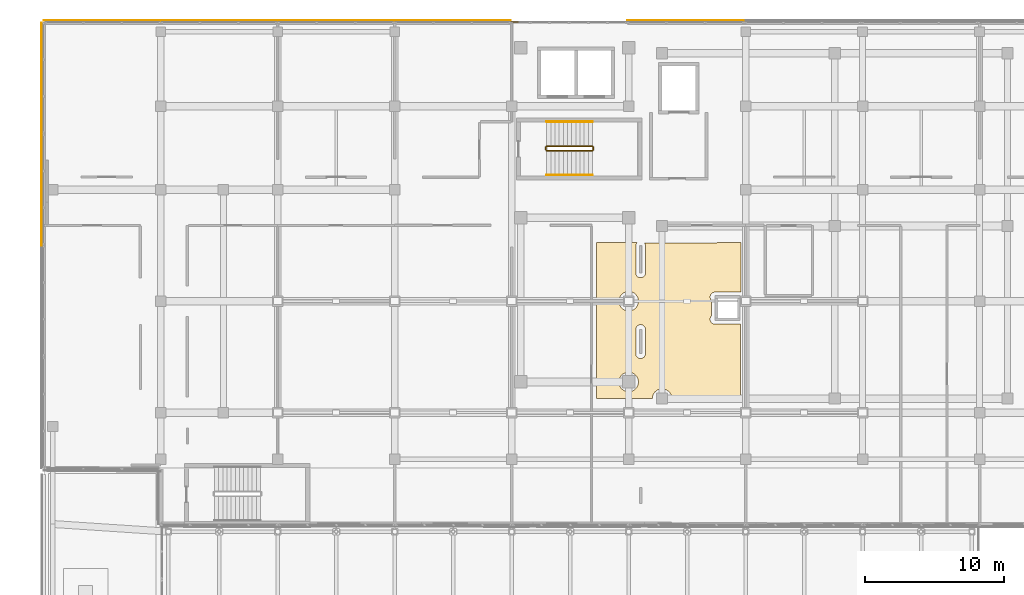
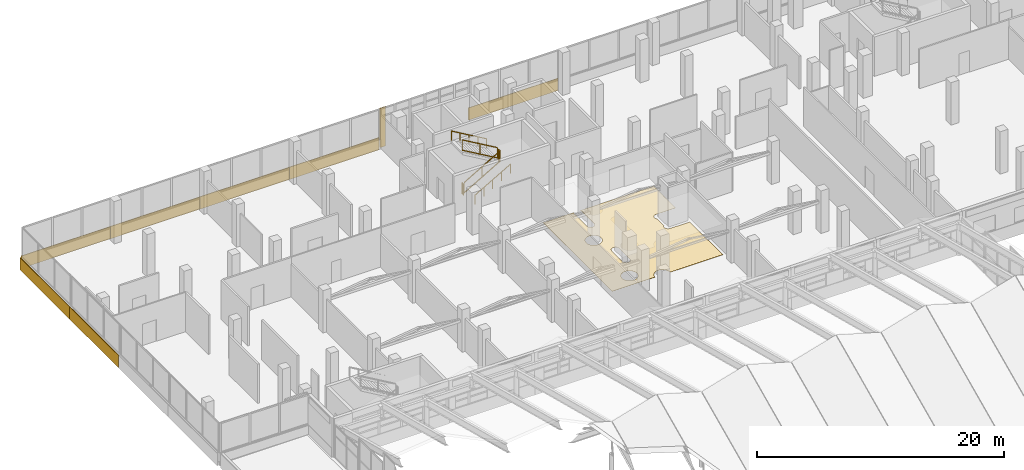
# One storey, part 180 of 184: 9 coverings, 6 railings.
"""IFC4 building model written with IfcOpenShell, lengths in metres."""

from ifc_helpers import new_model, si_unit, direction, frame, origin, origin_2d, place, context, subcontext, project, spatial, polyline, rectangle, circle, outline, extrude, material, layer, layer_set, type_object, element, save


model = new_model("IFC4")

# Units and contexts
model_context = context("Model", 3, precision=1e-05, world=origin(), true_north=direction((0.0, 1.0)))
body_context = subcontext(model_context, "Body", "Model", "MODEL_VIEW")
ifc_project = project(units=[si_unit("LENGTHUNIT", "METRE"), si_unit("AREAUNIT", "SQUARE_METRE"), si_unit("VOLUMEUNIT", "CUBIC_METRE"), si_unit("PLANEANGLEUNIT", "RADIAN"), si_unit("MASSUNIT", "GRAM", prefix="KILO")], contexts=[model_context])

# Site, building, storey
site_placement = place(None, origin())
site = spatial("IfcSite", under=ifc_project, at=site_placement, CompositionType="ELEMENT")
building_placement = place(site_placement, origin())
building = spatial("IfcBuilding", under=site, at=building_placement, Name="Selatvlak General Hospital", CompositionType="ELEMENT")
storey_placement = place(building_placement, frame((0.0, 0.0, 15.0)))
storey = spatial("IfcBuildingStorey", under=building, at=storey_placement, Name="L03", CompositionType="ELEMENT", Elevation=15.0)

# Coverings
ifc_material_1 = material(Name="Homogeneous anti-static hospital vinyl flooring")
ifc_layer_1 = layer(ifc_material_1, 0.014892578125, Name="Homogeneous anti-static hospital vinyl flooring")
ifc_layer_set_1 = layer_set([ifc_layer_1], Name="Homogeneous anti-static hospital vinyl flooring")
covering_type_1 = type_object("IfcCoveringType", Name="COV-FLR1", PredefinedType="FLOORING", material=ifc_layer_set_1)
covering_1_placement = place(storey_placement, origin())
element("IfcCovering", 1, at=covering_1_placement, inside=storey, type_object=covering_type_1, Name="L03 seamless vinyl flooring 007", PredefinedType="FLOORING", context=body_context, shape_type="SweptSolid", body=[
    extrude(outline(polyline([(57.0009765625, 104.199951171875), (56.968994140625, 104.158935546875), (56.950927734375, 104.1298828125), (56.93701171875, 104.09912109375), (56.925048828125, 104.06689453125), (56.9169921875, 104.032958984375), (56.912109375, 103.9990234375), (56.909912109375, 103.965087890625), (56.909912109375, 102.034912109375), (56.912109375, 102.0009765625), (56.9169921875, 101.967041015625), (56.925048828125, 101.93310546875), (56.93701171875, 101.90087890625), (56.950927734375, 101.8701171875), (56.968994140625, 101.841064453125), (56.989013671875, 101.81298828125), (57.012939453125, 101.7880859375), (57.0380859375, 101.763916015625), (57.06591796875, 101.743896484375), (57.094970703125, 101.72607421875), (57.1259765625, 101.7119140625), (57.157958984375, 101.699951171875), (57.19189453125, 101.69189453125), (57.22607421875, 101.68701171875), (57.260009765625, 101.68505859375), (57.2939453125, 101.68701171875), (57.327880859375, 101.69189453125), (57.362060546875, 101.699951171875), (57.39404296875, 101.7119140625), (57.425048828125, 101.72607421875), (57.4541015625, 101.743896484375), (57.48193359375, 101.763916015625), (57.507080078125, 101.7880859375), (57.531005859375, 101.81298828125), (57.551025390625, 101.841064453125), (57.569091796875, 101.8701171875), (57.5830078125, 101.90087890625), (57.594970703125, 101.93310546875), (57.60302734375, 101.967041015625), (57.60791015625, 102.0009765625), (57.610107421875, 102.034912109375), (57.610107421875, 103.965087890625), (57.60791015625, 103.9990234375), (57.60302734375, 104.032958984375), (57.594970703125, 104.06689453125), (57.5830078125, 104.09912109375), (57.569091796875, 104.1298828125), (57.551025390625, 104.158935546875), (57.531005859375, 104.18701171875), (64.449951171875, 104.199951171875), (64.449951171875, 100.64599609375), (64.39990234375, 100.64990234375), (62.60009765625, 100.64990234375), (62.56591796875, 100.64794921875), (62.531982421875, 100.64306640625), (62.498046875, 100.635009765625), (62.466064453125, 100.623046875), (62.43505859375, 100.60888671875), (62.406005859375, 100.591064453125), (62.3779296875, 100.571044921875), (62.35302734375, 100.547119140625), (62.3291015625, 100.52197265625), (62.30908203125, 100.493896484375), (62.291015625, 100.465087890625), (62.277099609375, 100.43408203125), (62.264892578125, 100.402099609375), (62.257080078125, 100.367919921875), (62.251953125, 100.333984375), (62.25, 100.300048828125), (62.251953125, 100.26611328125), (62.257080078125, 100.23193359375), (62.264892578125, 100.197998046875), (62.277099609375, 100.166015625), (62.291015625, 100.135009765625), (62.30908203125, 100.10595703125), (62.3291015625, 100.077880859375), (62.35009765625, 100.054931640625), (62.35009765625, 98.945068359375), (62.3291015625, 98.922119140625), (62.30908203125, 98.89404296875), (62.291015625, 98.864990234375), (62.277099609375, 98.833984375), (62.264892578125, 98.802001953125), (62.257080078125, 98.76806640625), (62.251953125, 98.73388671875), (62.25, 98.699951171875), (62.251953125, 98.666015625), (62.257080078125, 98.632080078125), (62.264892578125, 98.597900390625), (62.277099609375, 98.56591796875), (62.291015625, 98.534912109375), (62.30908203125, 98.506103515625), (62.3291015625, 98.47802734375), (62.35302734375, 98.452880859375), (62.3779296875, 98.428955078125), (62.406005859375, 98.408935546875), (62.43505859375, 98.39111328125), (62.466064453125, 98.376953125), (62.498046875, 98.364990234375), (62.531982421875, 98.35693359375), (62.56591796875, 98.35205078125), (62.60009765625, 98.35009765625), (64.39990234375, 98.35009765625), (64.43408203125, 98.35205078125), (64.449951171875, 93.0), (59.5, 93.0), (59.4970703125, 93.069091796875), (59.487060546875, 93.136962890625), (59.469970703125, 93.202880859375), (59.447021484375, 93.26806640625), (59.4169921875, 93.330078125), (59.382080078125, 93.388916015625), (59.341064453125, 93.444091796875), (59.294921875, 93.4951171875), (59.243896484375, 93.541015625), (59.18896484375, 93.58203125), (59.1298828125, 93.616943359375), (59.068115234375, 93.64697265625), (59.0029296875, 93.669921875), (58.93701171875, 93.68701171875), (58.868896484375, 93.697021484375), (58.800048828125, 93.699951171875), (58.73095703125, 93.697021484375), (58.6630859375, 93.68701171875), (58.596923828125, 93.669921875), (58.531982421875, 93.64697265625), (58.469970703125, 93.616943359375), (58.410888671875, 93.58203125), (58.35595703125, 93.541015625), (58.304931640625, 93.4951171875), (58.259033203125, 93.444091796875), (58.218017578125, 93.388916015625), (58.18310546875, 93.330078125), (58.153076171875, 93.26806640625), (58.1298828125, 93.202880859375), (58.113037109375, 93.136962890625), (58.10302734375, 93.069091796875), (58.10009765625, 93.0), (54.090087890625, 93.0), (54.090087890625, 104.199951171875), (57.0009765625, 104.199951171875)]), holes=[polyline([(56.89501953125, 93.705078125), (56.94091796875, 93.756103515625), (56.98193359375, 93.81103515625), (57.01708984375, 93.8701171875), (57.047119140625, 93.931884765625), (57.070068359375, 93.9970703125), (57.0869140625, 94.06298828125), (57.096923828125, 94.131103515625), (57.10009765625, 94.199951171875), (57.096923828125, 94.26904296875), (57.0869140625, 94.3369140625), (57.070068359375, 94.403076171875), (57.047119140625, 94.468017578125), (57.01708984375, 94.530029296875), (56.98193359375, 94.589111328125), (56.94091796875, 94.64404296875), (56.89501953125, 94.695068359375), (56.843994140625, 94.740966796875), (56.7890625, 94.781982421875), (56.72998046875, 94.81689453125), (56.66796875, 94.846923828125), (56.60302734375, 94.8701171875), (56.537109375, 94.886962890625), (56.468994140625, 94.89697265625), (56.39990234375, 94.89990234375), (56.3310546875, 94.89697265625), (56.262939453125, 94.886962890625), (56.197021484375, 94.8701171875), (56.132080078125, 94.846923828125), (56.070068359375, 94.81689453125), (56.010986328125, 94.781982421875), (55.9560546875, 94.740966796875), (55.905029296875, 94.695068359375), (55.85888671875, 94.64404296875), (55.818115234375, 94.589111328125), (55.782958984375, 94.530029296875), (55.7529296875, 94.468017578125), (55.72998046875, 94.403076171875), (55.712890625, 94.3369140625), (55.702880859375, 94.26904296875), (55.699951171875, 94.199951171875), (55.702880859375, 94.131103515625), (55.712890625, 94.06298828125), (55.72998046875, 93.9970703125), (55.7529296875, 93.931884765625), (55.782958984375, 93.8701171875), (55.818115234375, 93.81103515625), (55.85888671875, 93.756103515625), (55.905029296875, 93.705078125), (55.9560546875, 93.658935546875), (56.010986328125, 93.617919921875), (56.070068359375, 93.5830078125), (56.132080078125, 93.552978515625), (56.197021484375, 93.530029296875), (56.262939453125, 93.512939453125), (56.3310546875, 93.5029296875), (56.39990234375, 93.5), (56.468994140625, 93.5029296875), (56.537109375, 93.512939453125), (56.60302734375, 93.530029296875), (56.66796875, 93.552978515625), (56.72998046875, 93.5830078125), (56.7890625, 93.617919921875), (56.843994140625, 93.658935546875), (56.89501953125, 93.705078125)]), polyline([(56.89501953125, 99.5048828125), (56.94091796875, 99.555908203125), (56.98193359375, 99.611083984375), (57.01708984375, 99.669921875), (57.047119140625, 99.73193359375), (57.070068359375, 99.797119140625), (57.0869140625, 99.863037109375), (57.096923828125, 99.930908203125), (57.10009765625, 100.0), (57.096923828125, 100.069091796875), (57.0869140625, 100.136962890625), (57.070068359375, 100.202880859375), (57.047119140625, 100.26806640625), (57.01708984375, 100.330078125), (56.98193359375, 100.388916015625), (56.94091796875, 100.444091796875), (56.89501953125, 100.4951171875), (56.843994140625, 100.541015625), (56.7890625, 100.58203125), (56.72998046875, 100.616943359375), (56.66796875, 100.64697265625), (56.60302734375, 100.669921875), (56.537109375, 100.68701171875), (56.468994140625, 100.697021484375), (56.39990234375, 100.699951171875), (56.3310546875, 100.697021484375), (56.262939453125, 100.68701171875), (56.197021484375, 100.669921875), (56.132080078125, 100.64697265625), (56.070068359375, 100.616943359375), (56.010986328125, 100.58203125), (55.9560546875, 100.541015625), (55.905029296875, 100.4951171875), (55.85888671875, 100.444091796875), (55.818115234375, 100.388916015625), (55.782958984375, 100.330078125), (55.7529296875, 100.26806640625), (55.72998046875, 100.202880859375), (55.712890625, 100.136962890625), (55.702880859375, 100.069091796875), (55.699951171875, 100.0), (55.702880859375, 99.930908203125), (55.712890625, 99.863037109375), (55.72998046875, 99.797119140625), (55.7529296875, 99.73193359375), (55.782958984375, 99.669921875), (55.818115234375, 99.611083984375), (55.85888671875, 99.555908203125), (55.905029296875, 99.5048828125), (55.9560546875, 99.458984375), (56.010986328125, 99.41796875), (56.070068359375, 99.383056640625), (56.132080078125, 99.35302734375), (56.197021484375, 99.330078125), (56.262939453125, 99.31298828125), (56.3310546875, 99.302978515625), (56.39990234375, 99.300048828125), (56.468994140625, 99.302978515625), (56.537109375, 99.31298828125), (56.60302734375, 99.330078125), (56.66796875, 99.35302734375), (56.72998046875, 99.383056640625), (56.7890625, 99.41796875), (56.843994140625, 99.458984375), (56.89501953125, 99.5048828125)]), polyline([(57.0380859375, 98.236083984375), (57.012939453125, 98.2119140625), (56.989013671875, 98.18701171875), (56.968994140625, 98.158935546875), (56.950927734375, 98.1298828125), (56.93701171875, 98.09912109375), (56.925048828125, 98.06689453125), (56.9169921875, 98.032958984375), (56.912109375, 97.9990234375), (56.909912109375, 97.965087890625), (56.909912109375, 96.235107421875), (56.912109375, 96.200927734375), (56.9169921875, 96.1669921875), (56.925048828125, 96.133056640625), (56.93701171875, 96.10107421875), (56.950927734375, 96.070068359375), (56.968994140625, 96.041015625), (56.989013671875, 96.012939453125), (57.012939453125, 95.988037109375), (57.0380859375, 95.964111328125), (57.06591796875, 95.944091796875), (57.094970703125, 95.926025390625), (57.1259765625, 95.912109375), (57.157958984375, 95.89990234375), (57.19189453125, 95.89208984375), (57.22607421875, 95.886962890625), (57.260009765625, 95.885009765625), (57.2939453125, 95.886962890625), (57.327880859375, 95.89208984375), (57.362060546875, 95.89990234375), (57.39404296875, 95.912109375), (57.425048828125, 95.926025390625), (57.4541015625, 95.944091796875), (57.48193359375, 95.964111328125), (57.507080078125, 95.988037109375), (57.531005859375, 96.012939453125), (57.551025390625, 96.041015625), (57.569091796875, 96.070068359375), (57.5830078125, 96.10107421875), (57.594970703125, 96.133056640625), (57.60302734375, 96.1669921875), (57.60791015625, 96.200927734375), (57.610107421875, 96.235107421875), (57.610107421875, 97.965087890625), (57.60791015625, 97.9990234375), (57.60302734375, 98.032958984375), (57.594970703125, 98.06689453125), (57.5830078125, 98.09912109375), (57.569091796875, 98.1298828125), (57.551025390625, 98.158935546875), (57.531005859375, 98.18701171875), (57.507080078125, 98.2119140625), (57.48193359375, 98.236083984375), (57.4541015625, 98.256103515625), (57.425048828125, 98.27392578125), (57.39404296875, 98.2880859375), (57.362060546875, 98.300048828125), (57.327880859375, 98.30810546875), (57.2939453125, 98.31298828125), (57.260009765625, 98.31494140625), (57.22607421875, 98.31298828125), (57.19189453125, 98.30810546875), (57.157958984375, 98.300048828125), (57.1259765625, 98.2880859375), (57.094970703125, 98.27392578125), (57.06591796875, 98.256103515625), (57.0380859375, 98.236083984375)])]), origin(), (0.0, 0.0, 1.0), 0.014892578125),
])
ifc_material_2 = material(Name="White Bauhaus fair-faced cladding panel")
ifc_layer_2 = layer(ifc_material_2, 0.054931640625, Name="White Bauhaus fair-faced cladding panel")
ifc_layer_set_2 = layer_set([ifc_layer_2], Name="White Bauhaus fair-faced cladding panel")
covering_type_2 = type_object("IfcCoveringType", Name="COV-WHT1", PredefinedType="CLADDING", material=ifc_layer_set_2)
for number, where, z_axis, x_axis, name in (
    (2, (14.235107421875, 107.9990234375, -0.27978515625), (0.0, 0.0, 1.0), (0.0, 1.0, 0.0), "L03 Bauhaus horizontal white spandrel band 0219"),
    (3, (14.235107421875, 115.9990234375, -0.27978515625), (0.0, 0.0, 1.0), (0.0, 1.0, 0.0), "L03 Bauhaus horizontal white spandrel band 0220"),
):
    element("IfcCovering", number, at=place(storey_placement, frame(where, z_axis=z_axis, x_axis=x_axis)), inside=storey, type_object=covering_type_2, Name=name, PredefinedType="CLADDING", context=body_context, shape_type="SweptSolid", body=[
        extrude(rectangle(XDim=8.0, YDim=0.054931640625, at=origin_2d()), origin(), (0.0, 0.0, 1.0), 1.219970703125),
    ])
for number, where, z_axis, x_axis, name in (
    (4, (18.590087890625, 120.1640625, -0.27978515625), (0.0, 0.0, 1.0), (1.0, 0.0, 0.0), "L03 Bauhaus horizontal white spandrel band 0221"),
    (5, (26.969970703125, 120.1640625, -0.27978515625), (0.0, 0.0, 1.0), (1.0, 0.0, 0.0), "L03 Bauhaus horizontal white spandrel band 0222"),
    (6, (35.35009765625, 120.1640625, -0.27978515625), (0.0, 0.0, 1.0), (1.0, 0.0, 0.0), "L03 Bauhaus horizontal white spandrel band 0223"),
    (7, (43.72998046875, 120.1640625, -0.27978515625), (0.0, 0.0, 1.0), (1.0, 0.0, 0.0), "L03 Bauhaus horizontal white spandrel band 0224"),
):
    element("IfcCovering", number, at=place(storey_placement, frame(where, z_axis=z_axis, x_axis=x_axis)), inside=storey, type_object=covering_type_2, Name=name, PredefinedType="CLADDING", context=body_context, shape_type="SweptSolid", body=[
        extrude(rectangle(XDim=8.3798828125, YDim=0.054931640625, at=origin_2d()), origin(), (0.0, 0.0, 1.0), 1.219970703125),
    ])
covering_2_placement = place(storey_placement, frame((48.195068359375, 120.0439453125, -0.00048828125), z_axis=(0.0, 0.0, 1.0), x_axis=(1.0, 0.0, 0.0)))
element("IfcCovering", 8, at=covering_2_placement, inside=storey, type_object=covering_type_2, Name="L03 Bauhaus vertical core pilaster 0225", PredefinedType="CLADDING", context=body_context, shape_type="SweptSolid", body=[
    extrude(rectangle(XDim=0.550048828125, YDim=0.054931640625, at=origin_2d()), origin(), (0.0, 0.0, 1.0), 3.89501953125),
])
covering_3_placement = place(storey_placement, frame((60.489990234375, 120.1640625, -0.27978515625), z_axis=(0.0, 0.0, 1.0), x_axis=(1.0, 0.0, 0.0)))
element("IfcCovering", 9, at=covering_3_placement, inside=storey, type_object=covering_type_2, Name="L03 Bauhaus horizontal white spandrel band 0226", PredefinedType="CLADDING", context=body_context, shape_type="SweptSolid", body=[
    extrude(rectangle(XDim=8.3798828125, YDim=0.054931640625, at=origin_2d()), origin(), (0.0, 0.0, 1.0), 1.219970703125),
])

# Railings
ifc_material_3 = material(Name="Stainless steel 316 stair guard", Category="steel")
railing_type_1 = type_object("IfcRailingType", Name="RAIL-STG", PredefinedType="GUARDRAIL", material=ifc_material_3)
railing_1_placement = place(storey_placement, frame((50.510009765625, 110.81005859375, 0.175048828125)))
element("IfcRailing", 10, at=railing_1_placement, inside=storey, type_object=railing_type_1, Name="L03 ST-01 stair guard 1", PredefinedType="GUARDRAIL", context=body_context, shape_type="SweptSolid", body=[
    extrude(rectangle(XDim=0.068115234375, YDim=0.068115234375, at=origin_2d()), frame((0.00244140625, 0.0, 1.067626953125), z_axis=(0.863776583165, 0.0, 0.503874998761), x_axis=(0.0, 1.0, 0.0)), (0.0, 0.0, 1.0), 3.814697265625),
    extrude(rectangle(XDim=0.068115234375, YDim=0.068115234375, at=origin_2d()), frame((0.00244140625, 0.0, 0.050537109375), z_axis=(0.863776583165, 0.0, 0.503874998761), x_axis=(0.0, 1.0, 0.0)), (0.0, 0.0, 1.0), 3.814697265625),
    extrude(rectangle(XDim=0.055908203125, YDim=0.055908203125, at=origin_2d()), origin(), (0.0, 0.0, 1.0), 1.029052734375),
    extrude(rectangle(XDim=0.055908203125, YDim=0.055908203125, at=origin_2d()), frame((1.64990234375, 0.0, 0.96240234375)), (0.0, 0.0, 1.0), 1.029052734375),
    extrude(rectangle(XDim=0.055908203125, YDim=0.055908203125, at=origin_2d()), frame((3.300048828125, 0.0, 1.925048828125)), (0.0, 0.0, 1.0), 1.029052734375),
])
railing_2_placement = place(storey_placement, frame((53.860107421875, 110.860107421875, 2.10009765625)))
element("IfcRailing", 11, at=railing_2_placement, inside=storey, type_object=railing_type_1, Name="L03 ST-01 stair guard 2", PredefinedType="GUARDRAIL", context=body_context, shape_type="SweptSolid", body=[
    extrude(rectangle(XDim=0.068115234375, YDim=0.068115234375, at=origin_2d()), frame((0.0, 0.0029296875, 1.06591796875), z_axis=(0.0, 1.0, 0.0), x_axis=(-1.0, 0.0, 0.0)), (0.0, 0.0, 1.0), 0.214111328125),
    extrude(rectangle(XDim=0.068115234375, YDim=0.068115234375, at=origin_2d()), frame((0.0, 0.0029296875, 0.049072265625), z_axis=(0.0, 1.0, 0.0), x_axis=(-1.0, 0.0, 0.0)), (0.0, 0.0, 1.0), 0.214111328125),
    extrude(rectangle(XDim=0.055908203125, YDim=0.055908203125, at=origin_2d()), origin(), (0.0, 0.0, 1.0), 1.029052734375),
    extrude(rectangle(XDim=0.055908203125, YDim=0.055908203125, at=origin_2d()), frame((0.0, 0.219970703125, 0.0)), (0.0, 0.0, 1.0), 1.029052734375),
])
railing_3_placement = place(storey_placement, frame((53.81005859375, 111.1298828125, 2.27490234375)))
element("IfcRailing", 12, at=railing_3_placement, inside=storey, type_object=railing_type_1, Name="L03 ST-01 stair guard 3", PredefinedType="GUARDRAIL", context=body_context, shape_type="SweptSolid", body=[
    extrude(rectangle(XDim=0.068115234375, YDim=0.068115234375, at=origin_2d()), frame((-0.00244140625, 0.0, 1.067626953125), z_axis=(-0.863776583165, 0.0, 0.503874998761), x_axis=(0.0, -1.0, 0.0)), (0.0, 0.0, 1.0), 3.814697265625),
    extrude(rectangle(XDim=0.068115234375, YDim=0.068115234375, at=origin_2d()), frame((-0.00244140625, 0.0, 0.050537109375), z_axis=(-0.863776583165, 0.0, 0.503874998761), x_axis=(0.0, -1.0, 0.0)), (0.0, 0.0, 1.0), 3.814697265625),
    extrude(rectangle(XDim=0.055908203125, YDim=0.055908203125, at=origin_2d()), origin(), (0.0, 0.0, 1.0), 1.029052734375),
    extrude(rectangle(XDim=0.055908203125, YDim=0.055908203125, at=origin_2d()), frame((-1.64990234375, 0.0, 0.96240234375)), (0.0, 0.0, 1.0), 1.029052734375),
    extrude(rectangle(XDim=0.055908203125, YDim=0.055908203125, at=origin_2d()), frame((-3.300048828125, 0.0, 1.925048828125)), (0.0, 0.0, 1.0), 1.029052734375),
])
railing_4_placement = place(storey_placement, frame((50.4599609375, 110.860107421875, 0.0)))
element("IfcRailing", 13, at=railing_4_placement, inside=storey, type_object=railing_type_1, Name="L03 ST-01 stair guard 4", PredefinedType="GUARDRAIL", context=body_context, shape_type="SweptSolid", body=[
    extrude(rectangle(XDim=0.068115234375, YDim=0.068115234375, at=origin_2d()), frame((0.0, 0.0029296875, 1.06591796875), z_axis=(0.0, 1.0, 0.0), x_axis=(-1.0, 0.0, 0.0)), (0.0, 0.0, 1.0), 0.214111328125),
    extrude(rectangle(XDim=0.068115234375, YDim=0.068115234375, at=origin_2d()), frame((0.0, 0.0029296875, 0.049072265625), z_axis=(0.0, 1.0, 0.0), x_axis=(-1.0, 0.0, 0.0)), (0.0, 0.0, 1.0), 0.214111328125),
    extrude(rectangle(XDim=0.055908203125, YDim=0.055908203125, at=origin_2d()), origin(), (0.0, 0.0, 1.0), 1.029052734375),
    extrude(rectangle(XDim=0.055908203125, YDim=0.055908203125, at=origin_2d()), frame((0.0, 0.219970703125, 0.0)), (0.0, 0.0, 1.0), 1.029052734375),
])
ifc_material_4 = material(Name="Stainless steel 316 handrail", Category="steel")
railing_type_2 = type_object("IfcRailingType", Name="RAIL-STH", PredefinedType="HANDRAIL", material=ifc_material_4)
railing_5_placement = place(storey_placement, frame((50.510009765625, 109.050048828125, 0.175048828125)))
element("IfcRailing", 14, at=railing_5_placement, inside=storey, type_object=railing_type_2, Name="L03 ST-01 stair handrail 1", PredefinedType="HANDRAIL", context=body_context, shape_type="SweptSolid", body=[
    extrude(circle(Radius=0.02392578125, at=origin_2d()), frame((0.00244140625, 0.0, 0.87744140625), z_axis=(0.863776583165, 0.0, 0.503874998761), x_axis=(0.0, 1.0, 0.0)), (0.0, 0.0, 1.0), 3.814697265625),
    extrude(circle(Radius=0.02099609375, at=origin_2d()), origin(), (0.0, 0.0, 1.0), 0.848876953125),
    extrude(circle(Radius=0.02099609375, at=origin_2d()), frame((0.824951171875, 0.0, 0.481201171875)), (0.0, 0.0, 1.0), 0.848876953125),
    extrude(circle(Radius=0.02099609375, at=origin_2d()), frame((1.64990234375, 0.0, 0.96240234375)), (0.0, 0.0, 1.0), 0.848876953125),
    extrude(circle(Radius=0.02099609375, at=origin_2d()), frame((2.47509765625, 0.0, 1.44384765625)), (0.0, 0.0, 1.0), 0.848876953125),
    extrude(circle(Radius=0.02099609375, at=origin_2d()), frame((3.300048828125, 0.0, 1.925048828125)), (0.0, 0.0, 1.0), 0.848876953125),
])
railing_6_placement = place(storey_placement, frame((53.81005859375, 112.889892578125, 2.27490234375)))
element("IfcRailing", 15, at=railing_6_placement, inside=storey, type_object=railing_type_2, Name="L03 ST-01 stair handrail 2", PredefinedType="HANDRAIL", context=body_context, shape_type="SweptSolid", body=[
    extrude(circle(Radius=0.02392578125, at=origin_2d()), frame((-0.00244140625, 0.0, 0.87744140625), z_axis=(-0.863776583165, 0.0, 0.503874998761), x_axis=(0.0, -1.0, 0.0)), (0.0, 0.0, 1.0), 3.814697265625),
    extrude(circle(Radius=0.02099609375, at=origin_2d()), origin(), (0.0, 0.0, 1.0), 0.848876953125),
    extrude(circle(Radius=0.02099609375, at=origin_2d()), frame((-0.824951171875, 0.0, 0.481201171875)), (0.0, 0.0, 1.0), 0.848876953125),
    extrude(circle(Radius=0.02099609375, at=origin_2d()), frame((-1.64990234375, 0.0, 0.96240234375)), (0.0, 0.0, 1.0), 0.848876953125),
    extrude(circle(Radius=0.02099609375, at=origin_2d()), frame((-2.47509765625, 0.0, 1.44384765625)), (0.0, 0.0, 1.0), 0.848876953125),
    extrude(circle(Radius=0.02099609375, at=origin_2d()), frame((-3.300048828125, 0.0, 1.925048828125)), (0.0, 0.0, 1.0), 0.848876953125),
])

save(model, "model.ifc")
